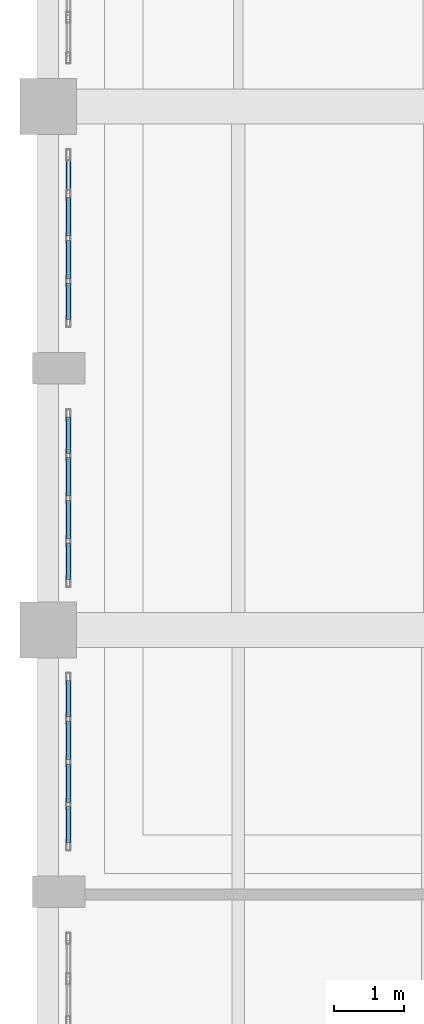
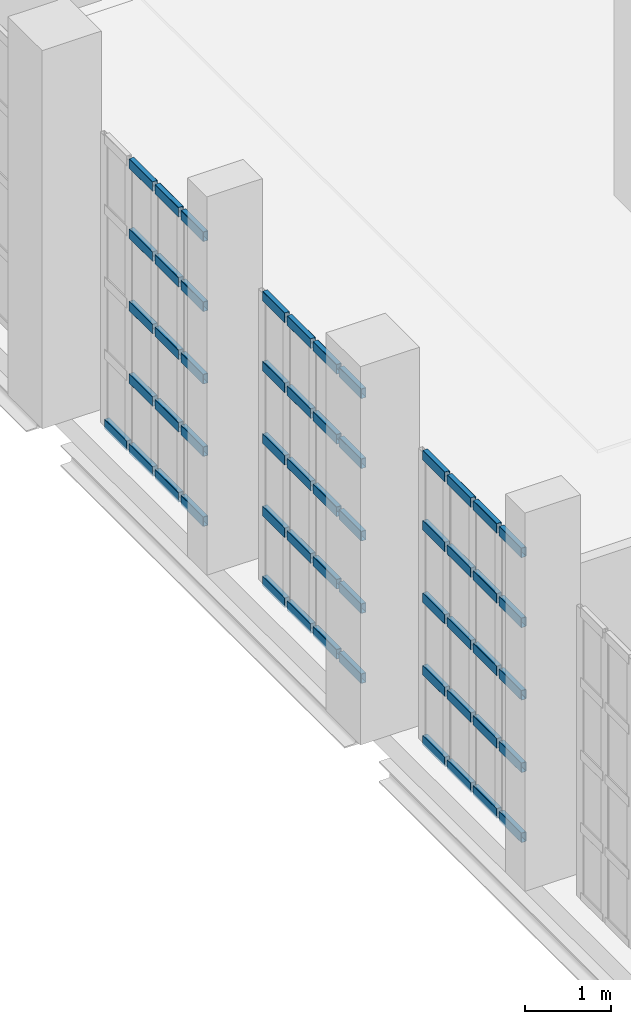
# One storey, part 310 of 372: 56 members, 3 elements without a shape of their own.
"""IFC4 building model written with IfcOpenShell, lengths in metres."""

from ifc_helpers import new_model, si_unit, direction, frame, origin, origin_2d, place, context, subcontext, project, spatial, hollow_rectangle, extrude, material, material_profile, profile_set, type_object, element, aggregate, save


model = new_model("IFC4")

# Units and contexts
model_context = context("Model", 3, precision=1e-05, world=origin(), true_north=direction((0.0, 1.0)))
body_context = subcontext(model_context, "Body", "Model", "MODEL_VIEW")
ifc_project = project(units=[si_unit("LENGTHUNIT", "METRE"), si_unit("AREAUNIT", "SQUARE_METRE"), si_unit("VOLUMEUNIT", "CUBIC_METRE"), si_unit("PLANEANGLEUNIT", "RADIAN"), si_unit("MASSUNIT", "GRAM", prefix="KILO")], contexts=[model_context])

# Site, building, storey
site_placement = place(None, origin())
site = spatial("IfcSite", under=ifc_project, at=site_placement, CompositionType="ELEMENT")
building_placement = place(site_placement, origin())
building = spatial("IfcBuilding", under=site, at=building_placement, Name="Kaelora Sail Theatre", CompositionType="ELEMENT")
storey_placement = place(building_placement, origin())
storey = spatial("IfcBuildingStorey", under=building, at=storey_placement, Name="L00", CompositionType="ELEMENT", Elevation=0.0)

# Curtain wall, members
ifc_material_1 = material(Name="Anodised aluminium and solar-control low-E IGU", Category="aluminium")
curtain_wall_type = type_object("IfcCurtainWallType", Name="ARC-CW-CW-FOY1", PredefinedType="NOTDEFINED", material=ifc_material_1)
curtain_wall_1_placement = place(storey_placement, origin())
curtain_wall_1 = element("IfcCurtainWall", 1, at=curtain_wall_1_placement, inside=storey, type_object=curtain_wall_type, Name="Glazed Colonnade/Courtyard Curtain Wall FW1-W-L00-02", PredefinedType="NOTDEFINED")
ifc_material_2 = material(Name="Anodised aluminium 6063-T6", Category="aluminium")
ifc_material_profile = material_profile(ifc_material_2, hollow_rectangle(XDim=0.070068359375, YDim=0.139892578125, WallThickness=0.00390625, InnerFilletRadius=0.00390625, OuterFilletRadius=0.008056640625, at=origin_2d()), Name="ALU-TRAN 70x140x4")
ifc_profile_set = profile_set([ifc_material_profile], Name="Anodised aluminium 6063-T6")
member_type = type_object("IfcMemberType", Name="ARC-MEM-TR-140", PredefinedType="USERDEFINED", material=ifc_profile_set)
member_1_placement = place(storey_placement, frame((1.7900390625, 65.43505859375, 0.034912109375), z_axis=(0.0, 1.0, 0.0), x_axis=(-1.0, 0.0, 0.0)))
member_1 = element("IfcMember", 2, at=member_1_placement, type_object=member_type, Name="CW-FOY1 transom 1.1", ObjectType="TRANSOM", PredefinedType="USERDEFINED", context=body_context, shape_type="SweptSolid", body=[
    extrude(hollow_rectangle(XDim=0.070068359375, YDim=0.139892578125, WallThickness=0.00390625, InnerFilletRadius=0.00390625, OuterFilletRadius=0.008056640625, at=origin_2d()), origin(), (0.0, 0.0, 1.0), 0.51611328125),
])
member_2_placement = place(storey_placement, frame((1.7900390625, 65.43505859375, 1.0341796875), z_axis=(0.0, 1.0, 0.0), x_axis=(-1.0, 0.0, 0.0)))
member_2 = element("IfcMember", 3, at=member_2_placement, type_object=member_type, Name="CW-FOY1 transom 1.2", ObjectType="TRANSOM", PredefinedType="USERDEFINED", context=body_context, shape_type="SweptSolid", body=[
    extrude(hollow_rectangle(XDim=0.070068359375, YDim=0.139892578125, WallThickness=0.00390625, InnerFilletRadius=0.00390625, OuterFilletRadius=0.008056640625, at=origin_2d()), origin(), (0.0, 0.0, 1.0), 0.51611328125),
])
member_3_placement = place(storey_placement, frame((1.7900390625, 65.43505859375, 2.068603515625), z_axis=(0.0, 1.0, 0.0), x_axis=(-1.0, 0.0, 0.0)))
member_3 = element("IfcMember", 4, at=member_3_placement, type_object=member_type, Name="CW-FOY1 transom 1.3", ObjectType="TRANSOM", PredefinedType="USERDEFINED", context=body_context, shape_type="SweptSolid", body=[
    extrude(hollow_rectangle(XDim=0.070068359375, YDim=0.139892578125, WallThickness=0.00390625, InnerFilletRadius=0.00390625, OuterFilletRadius=0.008056640625, at=origin_2d()), origin(), (0.0, 0.0, 1.0), 0.51611328125),
])
member_4_placement = place(storey_placement, frame((1.7900390625, 65.43505859375, 3.102783203125), z_axis=(0.0, 1.0, 0.0), x_axis=(-1.0, 0.0, 0.0)))
member_4 = element("IfcMember", 5, at=member_4_placement, type_object=member_type, Name="CW-FOY1 transom 1.4", ObjectType="TRANSOM", PredefinedType="USERDEFINED", context=body_context, shape_type="SweptSolid", body=[
    extrude(hollow_rectangle(XDim=0.070068359375, YDim=0.139892578125, WallThickness=0.00390625, InnerFilletRadius=0.00390625, OuterFilletRadius=0.008056640625, at=origin_2d()), origin(), (0.0, 0.0, 1.0), 0.51611328125),
])
member_5_placement = place(storey_placement, frame((1.7900390625, 65.43505859375, 4.10205078125), z_axis=(0.0, 1.0, 0.0), x_axis=(-1.0, 0.0, 0.0)))
member_5 = element("IfcMember", 6, at=member_5_placement, type_object=member_type, Name="CW-FOY1 transom 1.5", ObjectType="TRANSOM", PredefinedType="USERDEFINED", context=body_context, shape_type="SweptSolid", body=[
    extrude(hollow_rectangle(XDim=0.070068359375, YDim=0.139892578125, WallThickness=0.00390625, InnerFilletRadius=0.00390625, OuterFilletRadius=0.008056640625, at=origin_2d()), origin(), (0.0, 0.0, 1.0), 0.51611328125),
])
member_6_placement = place(storey_placement, frame((1.7900390625, 66.01123046875, 0.034912109375), z_axis=(0.0, 1.0, 0.0), x_axis=(-1.0, 0.0, 0.0)))
member_6 = element("IfcMember", 7, at=member_6_placement, type_object=member_type, Name="CW-FOY1 transom 2.1", ObjectType="TRANSOM", PredefinedType="USERDEFINED", context=body_context, shape_type="SweptSolid", body=[
    extrude(hollow_rectangle(XDim=0.070068359375, YDim=0.139892578125, WallThickness=0.00390625, InnerFilletRadius=0.00390625, OuterFilletRadius=0.008056640625, at=origin_2d()), origin(), (0.0, 0.0, 1.0), 0.54638671875),
])
member_7_placement = place(storey_placement, frame((1.7900390625, 66.01123046875, 1.0341796875), z_axis=(0.0, 1.0, 0.0), x_axis=(-1.0, 0.0, 0.0)))
member_7 = element("IfcMember", 8, at=member_7_placement, type_object=member_type, Name="CW-FOY1 transom 2.2", ObjectType="TRANSOM", PredefinedType="USERDEFINED", context=body_context, shape_type="SweptSolid", body=[
    extrude(hollow_rectangle(XDim=0.070068359375, YDim=0.139892578125, WallThickness=0.00390625, InnerFilletRadius=0.00390625, OuterFilletRadius=0.008056640625, at=origin_2d()), origin(), (0.0, 0.0, 1.0), 0.54638671875),
])
member_8_placement = place(storey_placement, frame((1.7900390625, 66.01123046875, 2.068603515625), z_axis=(0.0, 1.0, 0.0), x_axis=(-1.0, 0.0, 0.0)))
member_8 = element("IfcMember", 9, at=member_8_placement, type_object=member_type, Name="CW-FOY1 transom 2.3", ObjectType="TRANSOM", PredefinedType="USERDEFINED", context=body_context, shape_type="SweptSolid", body=[
    extrude(hollow_rectangle(XDim=0.070068359375, YDim=0.139892578125, WallThickness=0.00390625, InnerFilletRadius=0.00390625, OuterFilletRadius=0.008056640625, at=origin_2d()), origin(), (0.0, 0.0, 1.0), 0.54638671875),
])
member_9_placement = place(storey_placement, frame((1.7900390625, 66.01123046875, 3.102783203125), z_axis=(0.0, 1.0, 0.0), x_axis=(-1.0, 0.0, 0.0)))
member_9 = element("IfcMember", 10, at=member_9_placement, type_object=member_type, Name="CW-FOY1 transom 2.4", ObjectType="TRANSOM", PredefinedType="USERDEFINED", context=body_context, shape_type="SweptSolid", body=[
    extrude(hollow_rectangle(XDim=0.070068359375, YDim=0.139892578125, WallThickness=0.00390625, InnerFilletRadius=0.00390625, OuterFilletRadius=0.008056640625, at=origin_2d()), origin(), (0.0, 0.0, 1.0), 0.54638671875),
])
member_10_placement = place(storey_placement, frame((1.7900390625, 66.01123046875, 4.10205078125), z_axis=(0.0, 1.0, 0.0), x_axis=(-1.0, 0.0, 0.0)))
member_10 = element("IfcMember", 11, at=member_10_placement, type_object=member_type, Name="CW-FOY1 transom 2.5", ObjectType="TRANSOM", PredefinedType="USERDEFINED", context=body_context, shape_type="SweptSolid", body=[
    extrude(hollow_rectangle(XDim=0.070068359375, YDim=0.139892578125, WallThickness=0.00390625, InnerFilletRadius=0.00390625, OuterFilletRadius=0.008056640625, at=origin_2d()), origin(), (0.0, 0.0, 1.0), 0.54638671875),
])
member_11_placement = place(storey_placement, frame((1.7900390625, 66.617431640625, 0.034912109375), z_axis=(0.0, 1.0, 0.0), x_axis=(-1.0, 0.0, 0.0)))
member_11 = element("IfcMember", 12, at=member_11_placement, type_object=member_type, Name="CW-FOY1 transom 3.1", ObjectType="TRANSOM", PredefinedType="USERDEFINED", context=body_context, shape_type="SweptSolid", body=[
    extrude(hollow_rectangle(XDim=0.070068359375, YDim=0.139892578125, WallThickness=0.00390625, InnerFilletRadius=0.00390625, OuterFilletRadius=0.008056640625, at=origin_2d()), origin(), (0.0, 0.0, 1.0), 0.54638671875),
])
member_12_placement = place(storey_placement, frame((1.7900390625, 66.617431640625, 1.0341796875), z_axis=(0.0, 1.0, 0.0), x_axis=(-1.0, 0.0, 0.0)))
member_12 = element("IfcMember", 13, at=member_12_placement, type_object=member_type, Name="CW-FOY1 transom 3.2", ObjectType="TRANSOM", PredefinedType="USERDEFINED", context=body_context, shape_type="SweptSolid", body=[
    extrude(hollow_rectangle(XDim=0.070068359375, YDim=0.139892578125, WallThickness=0.00390625, InnerFilletRadius=0.00390625, OuterFilletRadius=0.008056640625, at=origin_2d()), origin(), (0.0, 0.0, 1.0), 0.54638671875),
])
member_13_placement = place(storey_placement, frame((1.7900390625, 66.617431640625, 2.068603515625), z_axis=(0.0, 1.0, 0.0), x_axis=(-1.0, 0.0, 0.0)))
member_13 = element("IfcMember", 14, at=member_13_placement, type_object=member_type, Name="CW-FOY1 transom 3.3", ObjectType="TRANSOM", PredefinedType="USERDEFINED", context=body_context, shape_type="SweptSolid", body=[
    extrude(hollow_rectangle(XDim=0.070068359375, YDim=0.139892578125, WallThickness=0.00390625, InnerFilletRadius=0.00390625, OuterFilletRadius=0.008056640625, at=origin_2d()), origin(), (0.0, 0.0, 1.0), 0.54638671875),
])
member_14_placement = place(storey_placement, frame((1.7900390625, 66.617431640625, 3.102783203125), z_axis=(0.0, 1.0, 0.0), x_axis=(-1.0, 0.0, 0.0)))
member_14 = element("IfcMember", 15, at=member_14_placement, type_object=member_type, Name="CW-FOY1 transom 3.4", ObjectType="TRANSOM", PredefinedType="USERDEFINED", context=body_context, shape_type="SweptSolid", body=[
    extrude(hollow_rectangle(XDim=0.070068359375, YDim=0.139892578125, WallThickness=0.00390625, InnerFilletRadius=0.00390625, OuterFilletRadius=0.008056640625, at=origin_2d()), origin(), (0.0, 0.0, 1.0), 0.54638671875),
])
member_15_placement = place(storey_placement, frame((1.7900390625, 66.617431640625, 4.10205078125), z_axis=(0.0, 1.0, 0.0), x_axis=(-1.0, 0.0, 0.0)))
member_15 = element("IfcMember", 16, at=member_15_placement, type_object=member_type, Name="CW-FOY1 transom 3.5", ObjectType="TRANSOM", PredefinedType="USERDEFINED", context=body_context, shape_type="SweptSolid", body=[
    extrude(hollow_rectangle(XDim=0.070068359375, YDim=0.139892578125, WallThickness=0.00390625, InnerFilletRadius=0.00390625, OuterFilletRadius=0.008056640625, at=origin_2d()), origin(), (0.0, 0.0, 1.0), 0.54638671875),
])
member_16_placement = place(storey_placement, frame((1.7900390625, 67.2236328125, 0.034912109375), z_axis=(0.0, 1.0, 0.0), x_axis=(-1.0, 0.0, 0.0)))
member_16 = element("IfcMember", 17, at=member_16_placement, type_object=member_type, Name="CW-FOY1 transom 4.1", ObjectType="TRANSOM", PredefinedType="USERDEFINED", context=body_context, shape_type="SweptSolid", body=[
    extrude(hollow_rectangle(XDim=0.070068359375, YDim=0.139892578125, WallThickness=0.00390625, InnerFilletRadius=0.00390625, OuterFilletRadius=0.008056640625, at=origin_2d()), origin(), (0.0, 0.0, 1.0), 0.516357421875),
])
member_17_placement = place(storey_placement, frame((1.7900390625, 67.2236328125, 1.0341796875), z_axis=(0.0, 1.0, 0.0), x_axis=(-1.0, 0.0, 0.0)))
member_17 = element("IfcMember", 18, at=member_17_placement, type_object=member_type, Name="CW-FOY1 transom 4.2", ObjectType="TRANSOM", PredefinedType="USERDEFINED", context=body_context, shape_type="SweptSolid", body=[
    extrude(hollow_rectangle(XDim=0.070068359375, YDim=0.139892578125, WallThickness=0.00390625, InnerFilletRadius=0.00390625, OuterFilletRadius=0.008056640625, at=origin_2d()), origin(), (0.0, 0.0, 1.0), 0.516357421875),
])
member_18_placement = place(storey_placement, frame((1.7900390625, 67.2236328125, 2.068603515625), z_axis=(0.0, 1.0, 0.0), x_axis=(-1.0, 0.0, 0.0)))
member_18 = element("IfcMember", 19, at=member_18_placement, type_object=member_type, Name="CW-FOY1 transom 4.3", ObjectType="TRANSOM", PredefinedType="USERDEFINED", context=body_context, shape_type="SweptSolid", body=[
    extrude(hollow_rectangle(XDim=0.070068359375, YDim=0.139892578125, WallThickness=0.00390625, InnerFilletRadius=0.00390625, OuterFilletRadius=0.008056640625, at=origin_2d()), origin(), (0.0, 0.0, 1.0), 0.516357421875),
])
member_19_placement = place(storey_placement, frame((1.7900390625, 67.2236328125, 3.102783203125), z_axis=(0.0, 1.0, 0.0), x_axis=(-1.0, 0.0, 0.0)))
member_19 = element("IfcMember", 20, at=member_19_placement, type_object=member_type, Name="CW-FOY1 transom 4.4", ObjectType="TRANSOM", PredefinedType="USERDEFINED", context=body_context, shape_type="SweptSolid", body=[
    extrude(hollow_rectangle(XDim=0.070068359375, YDim=0.139892578125, WallThickness=0.00390625, InnerFilletRadius=0.00390625, OuterFilletRadius=0.008056640625, at=origin_2d()), origin(), (0.0, 0.0, 1.0), 0.516357421875),
])
member_20_placement = place(storey_placement, frame((1.7900390625, 67.2236328125, 4.10205078125), z_axis=(0.0, 1.0, 0.0), x_axis=(-1.0, 0.0, 0.0)))
member_20 = element("IfcMember", 21, at=member_20_placement, type_object=member_type, Name="CW-FOY1 transom 4.5", ObjectType="TRANSOM", PredefinedType="USERDEFINED", context=body_context, shape_type="SweptSolid", body=[
    extrude(hollow_rectangle(XDim=0.070068359375, YDim=0.139892578125, WallThickness=0.00390625, InnerFilletRadius=0.00390625, OuterFilletRadius=0.008056640625, at=origin_2d()), origin(), (0.0, 0.0, 1.0), 0.516357421875),
])
aggregate(curtain_wall_1, [member_1, member_2, member_3, member_4, member_5, member_6, member_7, member_8, member_9, member_10, member_11, member_12, member_13, member_14, member_15, member_16, member_17, member_18, member_19, member_20])

curtain_wall_2_placement = place(storey_placement, origin())
curtain_wall_2 = element("IfcCurtainWall", 22, at=curtain_wall_2_placement, inside=storey, type_object=curtain_wall_type, Name="Glazed Colonnade/Courtyard Curtain Wall FW1-W-L00-03", PredefinedType="NOTDEFINED")
member_21_placement = place(storey_placement, frame((1.7900390625, 69.179931640625, 0.034912109375), z_axis=(0.0, 1.0, 0.0), x_axis=(-1.0, 0.0, 0.0)))
member_21 = element("IfcMember", 23, at=member_21_placement, type_object=member_type, Name="CW-FOY1 transom 1.1", ObjectType="TRANSOM", PredefinedType="USERDEFINED", context=body_context, shape_type="SweptSolid", body=[
    extrude(hollow_rectangle(XDim=0.070068359375, YDim=0.139892578125, WallThickness=0.00390625, InnerFilletRadius=0.00390625, OuterFilletRadius=0.008056640625, at=origin_2d()), origin(), (0.0, 0.0, 1.0), 0.516357421875),
])
member_22_placement = place(storey_placement, frame((1.7900390625, 69.179931640625, 1.0341796875), z_axis=(0.0, 1.0, 0.0), x_axis=(-1.0, 0.0, 0.0)))
member_22 = element("IfcMember", 24, at=member_22_placement, type_object=member_type, Name="CW-FOY1 transom 1.2", ObjectType="TRANSOM", PredefinedType="USERDEFINED", context=body_context, shape_type="SweptSolid", body=[
    extrude(hollow_rectangle(XDim=0.070068359375, YDim=0.139892578125, WallThickness=0.00390625, InnerFilletRadius=0.00390625, OuterFilletRadius=0.008056640625, at=origin_2d()), origin(), (0.0, 0.0, 1.0), 0.516357421875),
])
member_23_placement = place(storey_placement, frame((1.7900390625, 69.179931640625, 2.068603515625), z_axis=(0.0, 1.0, 0.0), x_axis=(-1.0, 0.0, 0.0)))
member_23 = element("IfcMember", 25, at=member_23_placement, type_object=member_type, Name="CW-FOY1 transom 1.3", ObjectType="TRANSOM", PredefinedType="USERDEFINED", context=body_context, shape_type="SweptSolid", body=[
    extrude(hollow_rectangle(XDim=0.070068359375, YDim=0.139892578125, WallThickness=0.00390625, InnerFilletRadius=0.00390625, OuterFilletRadius=0.008056640625, at=origin_2d()), origin(), (0.0, 0.0, 1.0), 0.516357421875),
])
member_24_placement = place(storey_placement, frame((1.7900390625, 69.179931640625, 3.102783203125), z_axis=(0.0, 1.0, 0.0), x_axis=(-1.0, 0.0, 0.0)))
member_24 = element("IfcMember", 26, at=member_24_placement, type_object=member_type, Name="CW-FOY1 transom 1.4", ObjectType="TRANSOM", PredefinedType="USERDEFINED", context=body_context, shape_type="SweptSolid", body=[
    extrude(hollow_rectangle(XDim=0.070068359375, YDim=0.139892578125, WallThickness=0.00390625, InnerFilletRadius=0.00390625, OuterFilletRadius=0.008056640625, at=origin_2d()), origin(), (0.0, 0.0, 1.0), 0.516357421875),
])
member_25_placement = place(storey_placement, frame((1.7900390625, 69.179931640625, 4.10205078125), z_axis=(0.0, 1.0, 0.0), x_axis=(-1.0, 0.0, 0.0)))
member_25 = element("IfcMember", 27, at=member_25_placement, type_object=member_type, Name="CW-FOY1 transom 1.5", ObjectType="TRANSOM", PredefinedType="USERDEFINED", context=body_context, shape_type="SweptSolid", body=[
    extrude(hollow_rectangle(XDim=0.070068359375, YDim=0.139892578125, WallThickness=0.00390625, InnerFilletRadius=0.00390625, OuterFilletRadius=0.008056640625, at=origin_2d()), origin(), (0.0, 0.0, 1.0), 0.516357421875),
])
member_26_placement = place(storey_placement, frame((1.7900390625, 69.75634765625, 0.034912109375), z_axis=(0.0, 1.0, 0.0), x_axis=(-1.0, 0.0, 0.0)))
member_26 = element("IfcMember", 28, at=member_26_placement, type_object=member_type, Name="CW-FOY1 transom 2.1", ObjectType="TRANSOM", PredefinedType="USERDEFINED", context=body_context, shape_type="SweptSolid", body=[
    extrude(hollow_rectangle(XDim=0.070068359375, YDim=0.139892578125, WallThickness=0.00390625, InnerFilletRadius=0.00390625, OuterFilletRadius=0.008056640625, at=origin_2d()), origin(), (0.0, 0.0, 1.0), 0.546142578125),
])
member_27_placement = place(storey_placement, frame((1.7900390625, 69.75634765625, 1.0341796875), z_axis=(0.0, 1.0, 0.0), x_axis=(-1.0, 0.0, 0.0)))
member_27 = element("IfcMember", 29, at=member_27_placement, type_object=member_type, Name="CW-FOY1 transom 2.2", ObjectType="TRANSOM", PredefinedType="USERDEFINED", context=body_context, shape_type="SweptSolid", body=[
    extrude(hollow_rectangle(XDim=0.070068359375, YDim=0.139892578125, WallThickness=0.00390625, InnerFilletRadius=0.00390625, OuterFilletRadius=0.008056640625, at=origin_2d()), origin(), (0.0, 0.0, 1.0), 0.546142578125),
])
member_28_placement = place(storey_placement, frame((1.7900390625, 69.75634765625, 2.068603515625), z_axis=(0.0, 1.0, 0.0), x_axis=(-1.0, 0.0, 0.0)))
member_28 = element("IfcMember", 30, at=member_28_placement, type_object=member_type, Name="CW-FOY1 transom 2.3", ObjectType="TRANSOM", PredefinedType="USERDEFINED", context=body_context, shape_type="SweptSolid", body=[
    extrude(hollow_rectangle(XDim=0.070068359375, YDim=0.139892578125, WallThickness=0.00390625, InnerFilletRadius=0.00390625, OuterFilletRadius=0.008056640625, at=origin_2d()), origin(), (0.0, 0.0, 1.0), 0.546142578125),
])
member_29_placement = place(storey_placement, frame((1.7900390625, 69.75634765625, 3.102783203125), z_axis=(0.0, 1.0, 0.0), x_axis=(-1.0, 0.0, 0.0)))
member_29 = element("IfcMember", 31, at=member_29_placement, type_object=member_type, Name="CW-FOY1 transom 2.4", ObjectType="TRANSOM", PredefinedType="USERDEFINED", context=body_context, shape_type="SweptSolid", body=[
    extrude(hollow_rectangle(XDim=0.070068359375, YDim=0.139892578125, WallThickness=0.00390625, InnerFilletRadius=0.00390625, OuterFilletRadius=0.008056640625, at=origin_2d()), origin(), (0.0, 0.0, 1.0), 0.546142578125),
])
member_30_placement = place(storey_placement, frame((1.7900390625, 69.75634765625, 4.10205078125), z_axis=(0.0, 1.0, 0.0), x_axis=(-1.0, 0.0, 0.0)))
member_30 = element("IfcMember", 32, at=member_30_placement, type_object=member_type, Name="CW-FOY1 transom 2.5", ObjectType="TRANSOM", PredefinedType="USERDEFINED", context=body_context, shape_type="SweptSolid", body=[
    extrude(hollow_rectangle(XDim=0.070068359375, YDim=0.139892578125, WallThickness=0.00390625, InnerFilletRadius=0.00390625, OuterFilletRadius=0.008056640625, at=origin_2d()), origin(), (0.0, 0.0, 1.0), 0.546142578125),
])
member_31_placement = place(storey_placement, frame((1.7900390625, 70.362548828125, 0.034912109375), z_axis=(0.0, 1.0, 0.0), x_axis=(-1.0, 0.0, 0.0)))
member_31 = element("IfcMember", 33, at=member_31_placement, type_object=member_type, Name="CW-FOY1 transom 3.1", ObjectType="TRANSOM", PredefinedType="USERDEFINED", context=body_context, shape_type="SweptSolid", body=[
    extrude(hollow_rectangle(XDim=0.070068359375, YDim=0.139892578125, WallThickness=0.00390625, InnerFilletRadius=0.00390625, OuterFilletRadius=0.008056640625, at=origin_2d()), origin(), (0.0, 0.0, 1.0), 0.546142578125),
])
member_32_placement = place(storey_placement, frame((1.7900390625, 70.362548828125, 1.0341796875), z_axis=(0.0, 1.0, 0.0), x_axis=(-1.0, 0.0, 0.0)))
member_32 = element("IfcMember", 34, at=member_32_placement, type_object=member_type, Name="CW-FOY1 transom 3.2", ObjectType="TRANSOM", PredefinedType="USERDEFINED", context=body_context, shape_type="SweptSolid", body=[
    extrude(hollow_rectangle(XDim=0.070068359375, YDim=0.139892578125, WallThickness=0.00390625, InnerFilletRadius=0.00390625, OuterFilletRadius=0.008056640625, at=origin_2d()), origin(), (0.0, 0.0, 1.0), 0.546142578125),
])
member_33_placement = place(storey_placement, frame((1.7900390625, 70.362548828125, 2.068603515625), z_axis=(0.0, 1.0, 0.0), x_axis=(-1.0, 0.0, 0.0)))
member_33 = element("IfcMember", 35, at=member_33_placement, type_object=member_type, Name="CW-FOY1 transom 3.3", ObjectType="TRANSOM", PredefinedType="USERDEFINED", context=body_context, shape_type="SweptSolid", body=[
    extrude(hollow_rectangle(XDim=0.070068359375, YDim=0.139892578125, WallThickness=0.00390625, InnerFilletRadius=0.00390625, OuterFilletRadius=0.008056640625, at=origin_2d()), origin(), (0.0, 0.0, 1.0), 0.546142578125),
])
member_34_placement = place(storey_placement, frame((1.7900390625, 70.362548828125, 3.102783203125), z_axis=(0.0, 1.0, 0.0), x_axis=(-1.0, 0.0, 0.0)))
member_34 = element("IfcMember", 36, at=member_34_placement, type_object=member_type, Name="CW-FOY1 transom 3.4", ObjectType="TRANSOM", PredefinedType="USERDEFINED", context=body_context, shape_type="SweptSolid", body=[
    extrude(hollow_rectangle(XDim=0.070068359375, YDim=0.139892578125, WallThickness=0.00390625, InnerFilletRadius=0.00390625, OuterFilletRadius=0.008056640625, at=origin_2d()), origin(), (0.0, 0.0, 1.0), 0.546142578125),
])
member_35_placement = place(storey_placement, frame((1.7900390625, 70.362548828125, 4.10205078125), z_axis=(0.0, 1.0, 0.0), x_axis=(-1.0, 0.0, 0.0)))
member_35 = element("IfcMember", 37, at=member_35_placement, type_object=member_type, Name="CW-FOY1 transom 3.5", ObjectType="TRANSOM", PredefinedType="USERDEFINED", context=body_context, shape_type="SweptSolid", body=[
    extrude(hollow_rectangle(XDim=0.070068359375, YDim=0.139892578125, WallThickness=0.00390625, InnerFilletRadius=0.00390625, OuterFilletRadius=0.008056640625, at=origin_2d()), origin(), (0.0, 0.0, 1.0), 0.546142578125),
])
member_36_placement = place(storey_placement, frame((1.7900390625, 70.96875, 0.034912109375), z_axis=(0.0, 1.0, 0.0), x_axis=(-1.0, 0.0, 0.0)))
member_36 = element("IfcMember", 38, at=member_36_placement, type_object=member_type, Name="CW-FOY1 transom 4.1", ObjectType="TRANSOM", PredefinedType="USERDEFINED", context=body_context, shape_type="SweptSolid", body=[
    extrude(hollow_rectangle(XDim=0.070068359375, YDim=0.139892578125, WallThickness=0.00390625, InnerFilletRadius=0.00390625, OuterFilletRadius=0.008056640625, at=origin_2d()), origin(), (0.0, 0.0, 1.0), 0.516357421875),
])
member_37_placement = place(storey_placement, frame((1.7900390625, 70.96875, 1.0341796875), z_axis=(0.0, 1.0, 0.0), x_axis=(-1.0, 0.0, 0.0)))
member_37 = element("IfcMember", 39, at=member_37_placement, type_object=member_type, Name="CW-FOY1 transom 4.2", ObjectType="TRANSOM", PredefinedType="USERDEFINED", context=body_context, shape_type="SweptSolid", body=[
    extrude(hollow_rectangle(XDim=0.070068359375, YDim=0.139892578125, WallThickness=0.00390625, InnerFilletRadius=0.00390625, OuterFilletRadius=0.008056640625, at=origin_2d()), origin(), (0.0, 0.0, 1.0), 0.516357421875),
])
member_38_placement = place(storey_placement, frame((1.7900390625, 70.96875, 2.068603515625), z_axis=(0.0, 1.0, 0.0), x_axis=(-1.0, 0.0, 0.0)))
member_38 = element("IfcMember", 40, at=member_38_placement, type_object=member_type, Name="CW-FOY1 transom 4.3", ObjectType="TRANSOM", PredefinedType="USERDEFINED", context=body_context, shape_type="SweptSolid", body=[
    extrude(hollow_rectangle(XDim=0.070068359375, YDim=0.139892578125, WallThickness=0.00390625, InnerFilletRadius=0.00390625, OuterFilletRadius=0.008056640625, at=origin_2d()), origin(), (0.0, 0.0, 1.0), 0.516357421875),
])
member_39_placement = place(storey_placement, frame((1.7900390625, 70.96875, 3.102783203125), z_axis=(0.0, 1.0, 0.0), x_axis=(-1.0, 0.0, 0.0)))
member_39 = element("IfcMember", 41, at=member_39_placement, type_object=member_type, Name="CW-FOY1 transom 4.4", ObjectType="TRANSOM", PredefinedType="USERDEFINED", context=body_context, shape_type="SweptSolid", body=[
    extrude(hollow_rectangle(XDim=0.070068359375, YDim=0.139892578125, WallThickness=0.00390625, InnerFilletRadius=0.00390625, OuterFilletRadius=0.008056640625, at=origin_2d()), origin(), (0.0, 0.0, 1.0), 0.516357421875),
])
member_40_placement = place(storey_placement, frame((1.7900390625, 70.96875, 4.10205078125), z_axis=(0.0, 1.0, 0.0), x_axis=(-1.0, 0.0, 0.0)))
member_40 = element("IfcMember", 42, at=member_40_placement, type_object=member_type, Name="CW-FOY1 transom 4.5", ObjectType="TRANSOM", PredefinedType="USERDEFINED", context=body_context, shape_type="SweptSolid", body=[
    extrude(hollow_rectangle(XDim=0.070068359375, YDim=0.139892578125, WallThickness=0.00390625, InnerFilletRadius=0.00390625, OuterFilletRadius=0.008056640625, at=origin_2d()), origin(), (0.0, 0.0, 1.0), 0.516357421875),
])
aggregate(curtain_wall_2, [member_21, member_22, member_23, member_24, member_25, member_26, member_27, member_28, member_29, member_30, member_31, member_32, member_33, member_34, member_35, member_36, member_37, member_38, member_39, member_40])

curtain_wall_3_placement = place(storey_placement, origin())
curtain_wall_3 = element("IfcCurtainWall", 43, at=curtain_wall_3_placement, inside=storey, type_object=curtain_wall_type, Name="Glazed Colonnade/Courtyard Curtain Wall FW1-W-L00-04", PredefinedType="NOTDEFINED")
member_41_placement = place(storey_placement, frame((1.7900390625, 72.875, 0.034912109375), z_axis=(0.0, 1.0, 0.0), x_axis=(-1.0, 0.0, 0.0)))
member_41 = element("IfcMember", 44, at=member_41_placement, type_object=member_type, Name="CW-FOY1 transom 1.1", ObjectType="TRANSOM", PredefinedType="USERDEFINED", context=body_context, shape_type="SweptSolid", body=[
    extrude(hollow_rectangle(XDim=0.070068359375, YDim=0.139892578125, WallThickness=0.00390625, InnerFilletRadius=0.00390625, OuterFilletRadius=0.008056640625, at=origin_2d()), origin(), (0.0, 0.0, 1.0), 0.516357421875),
])
member_42_placement = place(storey_placement, frame((1.7900390625, 72.875, 1.0341796875), z_axis=(0.0, 1.0, 0.0), x_axis=(-1.0, 0.0, 0.0)))
member_42 = element("IfcMember", 45, at=member_42_placement, type_object=member_type, Name="CW-FOY1 transom 1.2", ObjectType="TRANSOM", PredefinedType="USERDEFINED", context=body_context, shape_type="SweptSolid", body=[
    extrude(hollow_rectangle(XDim=0.070068359375, YDim=0.139892578125, WallThickness=0.00390625, InnerFilletRadius=0.00390625, OuterFilletRadius=0.008056640625, at=origin_2d()), origin(), (0.0, 0.0, 1.0), 0.516357421875),
])
member_43_placement = place(storey_placement, frame((1.7900390625, 72.875, 2.068603515625), z_axis=(0.0, 1.0, 0.0), x_axis=(-1.0, 0.0, 0.0)))
member_43 = element("IfcMember", 46, at=member_43_placement, type_object=member_type, Name="CW-FOY1 transom 1.3", ObjectType="TRANSOM", PredefinedType="USERDEFINED", context=body_context, shape_type="SweptSolid", body=[
    extrude(hollow_rectangle(XDim=0.070068359375, YDim=0.139892578125, WallThickness=0.00390625, InnerFilletRadius=0.00390625, OuterFilletRadius=0.008056640625, at=origin_2d()), origin(), (0.0, 0.0, 1.0), 0.516357421875),
])
member_44_placement = place(storey_placement, frame((1.7900390625, 72.875, 3.102783203125), z_axis=(0.0, 1.0, 0.0), x_axis=(-1.0, 0.0, 0.0)))
member_44 = element("IfcMember", 47, at=member_44_placement, type_object=member_type, Name="CW-FOY1 transom 1.4", ObjectType="TRANSOM", PredefinedType="USERDEFINED", context=body_context, shape_type="SweptSolid", body=[
    extrude(hollow_rectangle(XDim=0.070068359375, YDim=0.139892578125, WallThickness=0.00390625, InnerFilletRadius=0.00390625, OuterFilletRadius=0.008056640625, at=origin_2d()), origin(), (0.0, 0.0, 1.0), 0.516357421875),
])
member_45_placement = place(storey_placement, frame((1.7900390625, 72.875, 4.10205078125), z_axis=(0.0, 1.0, 0.0), x_axis=(-1.0, 0.0, 0.0)))
member_45 = element("IfcMember", 48, at=member_45_placement, type_object=member_type, Name="CW-FOY1 transom 1.5", ObjectType="TRANSOM", PredefinedType="USERDEFINED", context=body_context, shape_type="SweptSolid", body=[
    extrude(hollow_rectangle(XDim=0.070068359375, YDim=0.139892578125, WallThickness=0.00390625, InnerFilletRadius=0.00390625, OuterFilletRadius=0.008056640625, at=origin_2d()), origin(), (0.0, 0.0, 1.0), 0.516357421875),
])
member_46_placement = place(storey_placement, frame((1.7900390625, 73.451171875, 0.034912109375), z_axis=(0.0, 1.0, 0.0), x_axis=(-1.0, 0.0, 0.0)))
member_46 = element("IfcMember", 49, at=member_46_placement, type_object=member_type, Name="CW-FOY1 transom 2.1", ObjectType="TRANSOM", PredefinedType="USERDEFINED", context=body_context, shape_type="SweptSolid", body=[
    extrude(hollow_rectangle(XDim=0.070068359375, YDim=0.139892578125, WallThickness=0.00390625, InnerFilletRadius=0.00390625, OuterFilletRadius=0.008056640625, at=origin_2d()), origin(), (0.0, 0.0, 1.0), 0.54638671875),
])
member_47_placement = place(storey_placement, frame((1.7900390625, 73.451171875, 1.0341796875), z_axis=(0.0, 1.0, 0.0), x_axis=(-1.0, 0.0, 0.0)))
member_47 = element("IfcMember", 50, at=member_47_placement, type_object=member_type, Name="CW-FOY1 transom 2.2", ObjectType="TRANSOM", PredefinedType="USERDEFINED", context=body_context, shape_type="SweptSolid", body=[
    extrude(hollow_rectangle(XDim=0.070068359375, YDim=0.139892578125, WallThickness=0.00390625, InnerFilletRadius=0.00390625, OuterFilletRadius=0.008056640625, at=origin_2d()), origin(), (0.0, 0.0, 1.0), 0.54638671875),
])
member_48_placement = place(storey_placement, frame((1.7900390625, 73.451171875, 2.068603515625), z_axis=(0.0, 1.0, 0.0), x_axis=(-1.0, 0.0, 0.0)))
member_48 = element("IfcMember", 51, at=member_48_placement, type_object=member_type, Name="CW-FOY1 transom 2.3", ObjectType="TRANSOM", PredefinedType="USERDEFINED", context=body_context, shape_type="SweptSolid", body=[
    extrude(hollow_rectangle(XDim=0.070068359375, YDim=0.139892578125, WallThickness=0.00390625, InnerFilletRadius=0.00390625, OuterFilletRadius=0.008056640625, at=origin_2d()), origin(), (0.0, 0.0, 1.0), 0.54638671875),
])
member_49_placement = place(storey_placement, frame((1.7900390625, 73.451171875, 3.102783203125), z_axis=(0.0, 1.0, 0.0), x_axis=(-1.0, 0.0, 0.0)))
member_49 = element("IfcMember", 52, at=member_49_placement, type_object=member_type, Name="CW-FOY1 transom 2.4", ObjectType="TRANSOM", PredefinedType="USERDEFINED", context=body_context, shape_type="SweptSolid", body=[
    extrude(hollow_rectangle(XDim=0.070068359375, YDim=0.139892578125, WallThickness=0.00390625, InnerFilletRadius=0.00390625, OuterFilletRadius=0.008056640625, at=origin_2d()), origin(), (0.0, 0.0, 1.0), 0.54638671875),
])
member_50_placement = place(storey_placement, frame((1.7900390625, 73.451171875, 4.10205078125), z_axis=(0.0, 1.0, 0.0), x_axis=(-1.0, 0.0, 0.0)))
member_50 = element("IfcMember", 53, at=member_50_placement, type_object=member_type, Name="CW-FOY1 transom 2.5", ObjectType="TRANSOM", PredefinedType="USERDEFINED", context=body_context, shape_type="SweptSolid", body=[
    extrude(hollow_rectangle(XDim=0.070068359375, YDim=0.139892578125, WallThickness=0.00390625, InnerFilletRadius=0.00390625, OuterFilletRadius=0.008056640625, at=origin_2d()), origin(), (0.0, 0.0, 1.0), 0.54638671875),
])
member_51_placement = place(storey_placement, frame((1.7900390625, 74.0576171875, 0.034912109375), z_axis=(0.0, 1.0, 0.0), x_axis=(-1.0, 0.0, 0.0)))
member_51 = element("IfcMember", 54, at=member_51_placement, type_object=member_type, Name="CW-FOY1 transom 3.1", ObjectType="TRANSOM", PredefinedType="USERDEFINED", context=body_context, shape_type="SweptSolid", body=[
    extrude(hollow_rectangle(XDim=0.070068359375, YDim=0.139892578125, WallThickness=0.00390625, InnerFilletRadius=0.00390625, OuterFilletRadius=0.008056640625, at=origin_2d()), origin(), (0.0, 0.0, 1.0), 0.546142578125),
])
member_52_placement = place(storey_placement, frame((1.7900390625, 74.0576171875, 1.0341796875), z_axis=(0.0, 1.0, 0.0), x_axis=(-1.0, 0.0, 0.0)))
member_52 = element("IfcMember", 55, at=member_52_placement, type_object=member_type, Name="CW-FOY1 transom 3.2", ObjectType="TRANSOM", PredefinedType="USERDEFINED", context=body_context, shape_type="SweptSolid", body=[
    extrude(hollow_rectangle(XDim=0.070068359375, YDim=0.139892578125, WallThickness=0.00390625, InnerFilletRadius=0.00390625, OuterFilletRadius=0.008056640625, at=origin_2d()), origin(), (0.0, 0.0, 1.0), 0.546142578125),
])
member_53_placement = place(storey_placement, frame((1.7900390625, 74.0576171875, 2.068603515625), z_axis=(0.0, 1.0, 0.0), x_axis=(-1.0, 0.0, 0.0)))
member_53 = element("IfcMember", 56, at=member_53_placement, type_object=member_type, Name="CW-FOY1 transom 3.3", ObjectType="TRANSOM", PredefinedType="USERDEFINED", context=body_context, shape_type="SweptSolid", body=[
    extrude(hollow_rectangle(XDim=0.070068359375, YDim=0.139892578125, WallThickness=0.00390625, InnerFilletRadius=0.00390625, OuterFilletRadius=0.008056640625, at=origin_2d()), origin(), (0.0, 0.0, 1.0), 0.546142578125),
])
member_54_placement = place(storey_placement, frame((1.7900390625, 74.0576171875, 3.102783203125), z_axis=(0.0, 1.0, 0.0), x_axis=(-1.0, 0.0, 0.0)))
member_54 = element("IfcMember", 57, at=member_54_placement, type_object=member_type, Name="CW-FOY1 transom 3.4", ObjectType="TRANSOM", PredefinedType="USERDEFINED", context=body_context, shape_type="SweptSolid", body=[
    extrude(hollow_rectangle(XDim=0.070068359375, YDim=0.139892578125, WallThickness=0.00390625, InnerFilletRadius=0.00390625, OuterFilletRadius=0.008056640625, at=origin_2d()), origin(), (0.0, 0.0, 1.0), 0.546142578125),
])
member_55_placement = place(storey_placement, frame((1.7900390625, 74.0576171875, 4.10205078125), z_axis=(0.0, 1.0, 0.0), x_axis=(-1.0, 0.0, 0.0)))
member_55 = element("IfcMember", 58, at=member_55_placement, type_object=member_type, Name="CW-FOY1 transom 3.5", ObjectType="TRANSOM", PredefinedType="USERDEFINED", context=body_context, shape_type="SweptSolid", body=[
    extrude(hollow_rectangle(XDim=0.070068359375, YDim=0.139892578125, WallThickness=0.00390625, InnerFilletRadius=0.00390625, OuterFilletRadius=0.008056640625, at=origin_2d()), origin(), (0.0, 0.0, 1.0), 0.546142578125),
])
member_56_placement = place(storey_placement, frame((1.7900390625, 74.663818359375, 0.034912109375), z_axis=(0.0, 1.0, 0.0), x_axis=(-1.0, 0.0, 0.0)))
member_56 = element("IfcMember", 59, at=member_56_placement, type_object=member_type, Name="CW-FOY1 transom 4.1", ObjectType="TRANSOM", PredefinedType="USERDEFINED", context=body_context, shape_type="SweptSolid", body=[
    extrude(hollow_rectangle(XDim=0.070068359375, YDim=0.139892578125, WallThickness=0.00390625, InnerFilletRadius=0.00390625, OuterFilletRadius=0.008056640625, at=origin_2d()), origin(), (0.0, 0.0, 1.0), 0.51611328125),
])
aggregate(curtain_wall_3, [member_41, member_42, member_43, member_44, member_45, member_46, member_47, member_48, member_49, member_50, member_51, member_52, member_53, member_54, member_55, member_56])

save(model, "model.ifc")
